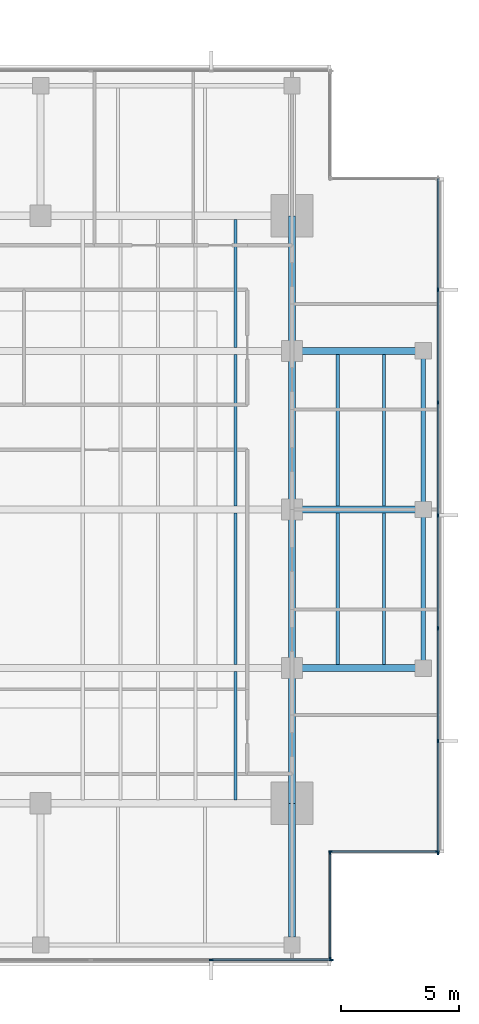
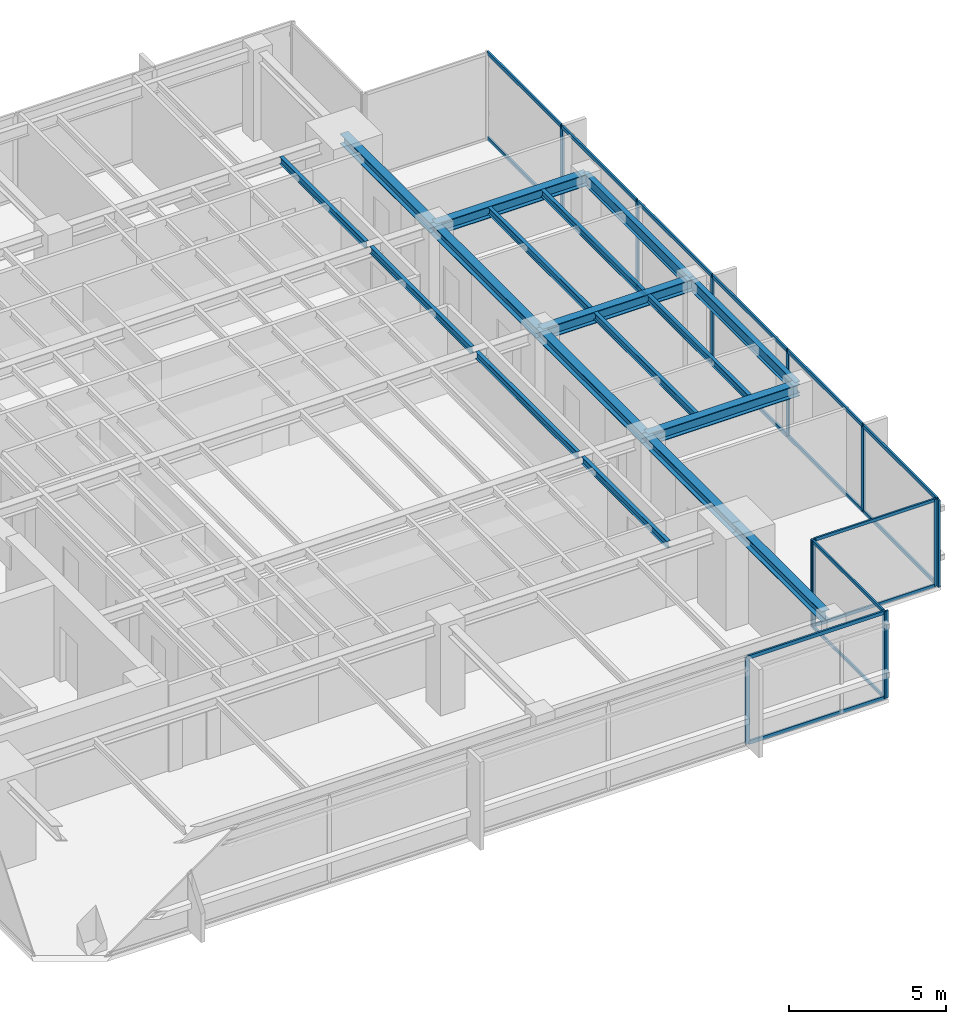
# One storey, part 4 of 14: 30 members, 18 beams, 4 elements without a shape of their own.
"""IFC4 building model written with IfcOpenShell, lengths in metres."""

from ifc_helpers import new_model, si_unit, direction, frame, origin, origin_2d, place, context, subcontext, project, spatial, rectangle, i_section, extrude, material, layer, layer_set, material_profile, profile_set, type_object, element, aggregate, save


model = new_model("IFC4")

# Units and contexts
model_context = context("Model", 3, precision=1e-05, world=origin(), true_north=direction((0.0, 1.0)))
body_context = subcontext(model_context, "Body", "Model", "MODEL_VIEW")
ifc_project = project(units=[si_unit("LENGTHUNIT", "METRE"), si_unit("AREAUNIT", "SQUARE_METRE"), si_unit("VOLUMEUNIT", "CUBIC_METRE"), si_unit("PLANEANGLEUNIT", "RADIAN"), si_unit("MASSUNIT", "GRAM", prefix="KILO")], contexts=[model_context])

# Site, building, storey
site_placement = place(None, origin())
site = spatial("IfcSite", under=ifc_project, at=site_placement, CompositionType="ELEMENT")
building_placement = place(site_placement, origin())
building = spatial("IfcBuilding", under=site, at=building_placement, Name="Kinhvarn Gate Tower", CompositionType="ELEMENT")
storey_placement = place(building_placement, frame((0.0, 0.0, 281.199951171875)))
storey = spatial("IfcBuildingStorey", under=building, at=storey_placement, Name="L75", CompositionType="ELEMENT", Elevation=281.199951171875)

# Curtain wall, members
ifc_material_1 = material(Name="Anodised aluminium AW-6063", Category="aluminium")
ifc_layer_1 = layer(ifc_material_1, 0.179931640625)
ifc_layer_set_1 = layer_set([ifc_layer_1], Name="Anodised aluminium AW-6063")
curtain_wall_type_1 = type_object("IfcCurtainWallType", Name="CW-SYS-3", PredefinedType="NOTDEFINED", material=ifc_layer_set_1)
curtain_wall_1_placement = place(storey_placement, origin())
curtain_wall_1 = element("IfcCurtainWall", 1, at=curtain_wall_1_placement, inside=storey, type_object=curtain_wall_type_1, Name="Curtain Wall CW3 (L75)", PredefinedType="NOTDEFINED")
ifc_material_profile_1 = material_profile(ifc_material_1, rectangle(XDim=0.06494140625, YDim=0.159912109375, at=origin_2d()), Name="ALU 65x160")
ifc_profile_set_1 = profile_set([ifc_material_profile_1], Name="Anodised aluminium AW-6063")
member_type_1 = type_object("IfcMemberType", Name="CW-MUL-160", PredefinedType="MULLION", material=ifc_profile_set_1)
member_1_placement = place(storey_placement, frame((34.7666015625, 6.090087890625, 0.0), z_axis=(0.0, 0.0, 1.0), x_axis=(0.0, 1.0, 0.0)))
member_1 = element("IfcMember", 2, at=member_1_placement, type_object=member_type_1, Name="CW3 mullion 6", PredefinedType="MULLION", context=body_context, shape_type="SweptSolid", body=[
    extrude(rectangle(XDim=0.06494140625, YDim=0.159912109375, at=origin_2d()), origin(), (0.0, 0.0, 1.0), 3.39013671875),
])
member_2_placement = place(storey_placement, frame((39.867431640625, 6.090087890625, 0.0), z_axis=(0.0, 0.0, 1.0), x_axis=(0.0, 1.0, 0.0)))
member_2 = element("IfcMember", 3, at=member_2_placement, type_object=member_type_1, Name="CW3 mullion 7", PredefinedType="MULLION", context=body_context, shape_type="SweptSolid", body=[
    extrude(rectangle(XDim=0.06494140625, YDim=0.159912109375, at=origin_2d()), origin(), (0.0, 0.0, 1.0), 3.39013671875),
])

curtain_wall_2_placement = place(storey_placement, origin())
curtain_wall_2 = element("IfcCurtainWall", 4, at=curtain_wall_2_placement, inside=storey, type_object=curtain_wall_type_1, Name="Curtain Wall CW3 (L75)", PredefinedType="NOTDEFINED")
member_3_placement = place(storey_placement, frame((44.409912109375, 10.632568359375, 0.0), z_axis=(0.0, 0.0, 1.0), x_axis=(-1.0, 0.0, 0.0)))
member_3 = element("IfcMember", 5, at=member_3_placement, type_object=member_type_1, Name="CW3 mullion 1", PredefinedType="MULLION", context=body_context, shape_type="SweptSolid", body=[
    extrude(rectangle(XDim=0.06494140625, YDim=0.159912109375, at=origin_2d()), origin(), (0.0, 0.0, 1.0), 3.39013671875),
])
member_4_placement = place(storey_placement, frame((44.409912109375, 15.39990234375, 0.0), z_axis=(0.0, 0.0, 1.0), x_axis=(-1.0, 0.0, 0.0)))
member_4 = element("IfcMember", 6, at=member_4_placement, type_object=member_type_1, Name="CW3 mullion 2", PredefinedType="MULLION", context=body_context, shape_type="SweptSolid", body=[
    extrude(rectangle(XDim=0.06494140625, YDim=0.159912109375, at=origin_2d()), origin(), (0.0, 0.0, 1.0), 3.39013671875),
])
member_5_placement = place(storey_placement, frame((44.409912109375, 20.199951171875, 0.0), z_axis=(0.0, 0.0, 1.0), x_axis=(-1.0, 0.0, 0.0)))
member_5 = element("IfcMember", 7, at=member_5_placement, type_object=member_type_1, Name="CW3 mullion 3", PredefinedType="MULLION", context=body_context, shape_type="SweptSolid", body=[
    extrude(rectangle(XDim=0.06494140625, YDim=0.159912109375, at=origin_2d()), origin(), (0.0, 0.0, 1.0), 3.39013671875),
])
member_6_placement = place(storey_placement, frame((44.409912109375, 25.0, 0.0), z_axis=(0.0, 0.0, 1.0), x_axis=(-1.0, 0.0, 0.0)))
member_6 = element("IfcMember", 8, at=member_6_placement, type_object=member_type_1, Name="CW3 mullion 4", PredefinedType="MULLION", context=body_context, shape_type="SweptSolid", body=[
    extrude(rectangle(XDim=0.06494140625, YDim=0.159912109375, at=origin_2d()), origin(), (0.0, 0.0, 1.0), 3.39013671875),
])
member_7_placement = place(storey_placement, frame((44.409912109375, 29.800048828125, 0.0), z_axis=(0.0, 0.0, 1.0), x_axis=(-1.0, 0.0, 0.0)))
member_7 = element("IfcMember", 9, at=member_7_placement, type_object=member_type_1, Name="CW3 mullion 5", PredefinedType="MULLION", context=body_context, shape_type="SweptSolid", body=[
    extrude(rectangle(XDim=0.06494140625, YDim=0.159912109375, at=origin_2d()), origin(), (0.0, 0.0, 1.0), 3.39013671875),
])
member_8_placement = place(storey_placement, frame((44.409912109375, 34.60009765625, 0.0), z_axis=(0.0, 0.0, 1.0), x_axis=(-1.0, 0.0, 0.0)))
member_8 = element("IfcMember", 10, at=member_8_placement, type_object=member_type_1, Name="CW3 mullion 6", PredefinedType="MULLION", context=body_context, shape_type="SweptSolid", body=[
    extrude(rectangle(XDim=0.06494140625, YDim=0.159912109375, at=origin_2d()), origin(), (0.0, 0.0, 1.0), 3.39013671875),
])

ifc_layer_2 = layer(ifc_material_1, 0.179931640625)
ifc_layer_set_2 = layer_set([ifc_layer_2], Name="Anodised aluminium AW-6063")
curtain_wall_type_2 = type_object("IfcCurtainWallType", Name="CW-SYS-4", PredefinedType="NOTDEFINED", material=ifc_layer_set_2)
curtain_wall_3_placement = place(storey_placement, origin())
curtain_wall_3 = element("IfcCurtainWall", 11, at=curtain_wall_3_placement, inside=storey, type_object=curtain_wall_type_2, Name="Curtain Wall CW4 (L75)", PredefinedType="NOTDEFINED")
member_9_placement = place(storey_placement, frame((39.81005859375, 6.12255859375, 0.0), z_axis=(0.0, 0.0, 1.0), x_axis=(-1.0, 0.0, 0.0)))
member_9 = element("IfcMember", 12, at=member_9_placement, type_object=member_type_1, Name="CW4 mullion 1", PredefinedType="MULLION", context=body_context, shape_type="SweptSolid", body=[
    extrude(rectangle(XDim=0.06494140625, YDim=0.159912109375, at=origin_2d()), origin(), (0.0, 0.0, 1.0), 3.39013671875),
])
member_10_placement = place(storey_placement, frame((39.81005859375, 10.657470703125, 0.0), z_axis=(0.0, 0.0, 1.0), x_axis=(-1.0, 0.0, 0.0)))
member_10 = element("IfcMember", 13, at=member_10_placement, type_object=member_type_1, Name="CW4 mullion 2", PredefinedType="MULLION", context=body_context, shape_type="SweptSolid", body=[
    extrude(rectangle(XDim=0.06494140625, YDim=0.159912109375, at=origin_2d()), origin(), (0.0, 0.0, 1.0), 3.39013671875),
])

curtain_wall_4_placement = place(storey_placement, origin())
curtain_wall_4 = element("IfcCurtainWall", 14, at=curtain_wall_4_placement, inside=storey, type_object=curtain_wall_type_2, Name="Curtain Wall CW4 (L75)", PredefinedType="NOTDEFINED")
member_11_placement = place(storey_placement, frame((39.842529296875, 10.68994140625, 0.0), z_axis=(0.0, 0.0, 1.0), x_axis=(0.0, 1.0, 0.0)))
member_11 = element("IfcMember", 15, at=member_11_placement, type_object=member_type_1, Name="CW4 mullion 1", PredefinedType="MULLION", context=body_context, shape_type="SweptSolid", body=[
    extrude(rectangle(XDim=0.06494140625, YDim=0.159912109375, at=origin_2d()), origin(), (0.0, 0.0, 1.0), 3.39013671875),
])
member_12_placement = place(storey_placement, frame((44.37744140625, 10.68994140625, 0.0), z_axis=(0.0, 0.0, 1.0), x_axis=(0.0, 1.0, 0.0)))
member_12 = element("IfcMember", 16, at=member_12_placement, type_object=member_type_1, Name="CW4 mullion 2", PredefinedType="MULLION", context=body_context, shape_type="SweptSolid", body=[
    extrude(rectangle(XDim=0.06494140625, YDim=0.159912109375, at=origin_2d()), origin(), (0.0, 0.0, 1.0), 3.39013671875),
])

# Member
ifc_material_profile_2 = material_profile(ifc_material_1, rectangle(XDim=0.06494140625, YDim=0.1201171875, at=origin_2d()), Name="ALU 65x120")
ifc_profile_set_2 = profile_set([ifc_material_profile_2], Name="Anodised aluminium AW-6063")
member_type_2 = type_object("IfcMemberType", Name="CW-TRN-120", PredefinedType="USERDEFINED", material=ifc_profile_set_2)
member_13_placement = place(storey_placement, frame((39.81005859375, 6.155029296875, 0.032470703125), z_axis=(0.0, 1.0, 0.0), x_axis=(-1.0, 0.0, 0.0)))
member_13 = element("IfcMember", 17, at=member_13_placement, type_object=member_type_2, Name="CW4 transom 1.1", ObjectType="TRANSOM", PredefinedType="USERDEFINED", context=body_context, shape_type="SweptSolid", body=[
    extrude(rectangle(XDim=0.06494140625, YDim=0.1201171875, at=origin_2d()), origin(), (0.0, 0.0, 1.0), 4.469970703125),
])

member_14_placement = place(storey_placement, frame((39.81005859375, 6.155029296875, 3.357666015625), z_axis=(0.0, 1.0, 0.0), x_axis=(-1.0, 0.0, 0.0)))
member_14 = element("IfcMember", 18, at=member_14_placement, type_object=member_type_2, Name="CW4 transom 1.2", ObjectType="TRANSOM", PredefinedType="USERDEFINED", context=body_context, shape_type="SweptSolid", body=[
    extrude(rectangle(XDim=0.06494140625, YDim=0.1201171875, at=origin_2d()), origin(), (0.0, 0.0, 1.0), 4.469970703125),
])

aggregate(curtain_wall_3, [member_9, member_10, member_13, member_14])

member_15_placement = place(storey_placement, frame((39.875, 10.68994140625, 0.032470703125), z_axis=(1.0, 0.0, 0.0), x_axis=(0.0, 1.0, 0.0)))
member_15 = element("IfcMember", 19, at=member_15_placement, type_object=member_type_2, Name="CW4 transom 1.1", ObjectType="TRANSOM", PredefinedType="USERDEFINED", context=body_context, shape_type="SweptSolid", body=[
    extrude(rectangle(XDim=0.06494140625, YDim=0.1201171875, at=origin_2d()), origin(), (0.0, 0.0, 1.0), 4.469970703125),
])

member_16_placement = place(storey_placement, frame((39.875, 10.68994140625, 3.357666015625), z_axis=(1.0, 0.0, 0.0), x_axis=(0.0, 1.0, 0.0)))
member_16 = element("IfcMember", 20, at=member_16_placement, type_object=member_type_2, Name="CW4 transom 1.2", ObjectType="TRANSOM", PredefinedType="USERDEFINED", context=body_context, shape_type="SweptSolid", body=[
    extrude(rectangle(XDim=0.06494140625, YDim=0.1201171875, at=origin_2d()), origin(), (0.0, 0.0, 1.0), 4.469970703125),
])

aggregate(curtain_wall_4, [member_11, member_12, member_15, member_16])

ifc_material_profile_3 = material_profile(ifc_material_1, rectangle(XDim=0.070068359375, YDim=0.139892578125, at=origin_2d()), Name="ALU 70x140")
ifc_profile_set_3 = profile_set([ifc_material_profile_3], Name="Anodised aluminium AW-6063")
member_type_3 = type_object("IfcMemberType", Name="CW-TRN-140", PredefinedType="USERDEFINED", material=ifc_profile_set_3)
member_17_placement = place(storey_placement, frame((34.799072265625, 6.090087890625, 0.03515625), z_axis=(1.0, 0.0, 0.0), x_axis=(0.0, 1.0, 0.0)))
member_17 = element("IfcMember", 21, at=member_17_placement, type_object=member_type_3, Name="CW3 transom 6.1", ObjectType="TRANSOM", PredefinedType="USERDEFINED", context=body_context, shape_type="SweptSolid", body=[
    extrude(rectangle(XDim=0.070068359375, YDim=0.139892578125, at=origin_2d()), origin(), (0.0, 0.0, 1.0), 5.035888671875),
])

member_18_placement = place(storey_placement, frame((34.799072265625, 6.090087890625, 3.35498046875), z_axis=(1.0, 0.0, 0.0), x_axis=(0.0, 1.0, 0.0)))
member_18 = element("IfcMember", 22, at=member_18_placement, type_object=member_type_3, Name="CW3 transom 6.2", ObjectType="TRANSOM", PredefinedType="USERDEFINED", context=body_context, shape_type="SweptSolid", body=[
    extrude(rectangle(XDim=0.070068359375, YDim=0.139892578125, at=origin_2d()), origin(), (0.0, 0.0, 1.0), 5.035888671875),
])

aggregate(curtain_wall_1, [member_1, member_2, member_17, member_18])

member_19_placement = place(storey_placement, frame((44.409912109375, 10.6650390625, 0.03515625), z_axis=(0.0, 1.0, 0.0), x_axis=(-1.0, 0.0, 0.0)))
member_19 = element("IfcMember", 23, at=member_19_placement, type_object=member_type_3, Name="CW3 transom 1.1", ObjectType="TRANSOM", PredefinedType="USERDEFINED", context=body_context, shape_type="SweptSolid", body=[
    extrude(rectangle(XDim=0.070068359375, YDim=0.139892578125, at=origin_2d()), origin(), (0.0, 0.0, 1.0), 4.702392578125),
])

member_20_placement = place(storey_placement, frame((44.409912109375, 10.6650390625, 3.35498046875), z_axis=(0.0, 1.0, 0.0), x_axis=(-1.0, 0.0, 0.0)))
member_20 = element("IfcMember", 24, at=member_20_placement, type_object=member_type_3, Name="CW3 transom 1.2", ObjectType="TRANSOM", PredefinedType="USERDEFINED", context=body_context, shape_type="SweptSolid", body=[
    extrude(rectangle(XDim=0.070068359375, YDim=0.139892578125, at=origin_2d()), origin(), (0.0, 0.0, 1.0), 4.702392578125),
])

member_21_placement = place(storey_placement, frame((44.409912109375, 15.4326171875, 0.03515625), z_axis=(0.0, 1.0, 0.0), x_axis=(-1.0, 0.0, 0.0)))
member_21 = element("IfcMember", 25, at=member_21_placement, type_object=member_type_3, Name="CW3 transom 2.1", ObjectType="TRANSOM", PredefinedType="USERDEFINED", context=body_context, shape_type="SweptSolid", body=[
    extrude(rectangle(XDim=0.070068359375, YDim=0.139892578125, at=origin_2d()), origin(), (0.0, 0.0, 1.0), 4.73486328125),
])

member_22_placement = place(storey_placement, frame((44.409912109375, 15.4326171875, 3.35498046875), z_axis=(0.0, 1.0, 0.0), x_axis=(-1.0, 0.0, 0.0)))
member_22 = element("IfcMember", 26, at=member_22_placement, type_object=member_type_3, Name="CW3 transom 2.2", ObjectType="TRANSOM", PredefinedType="USERDEFINED", context=body_context, shape_type="SweptSolid", body=[
    extrude(rectangle(XDim=0.070068359375, YDim=0.139892578125, at=origin_2d()), origin(), (0.0, 0.0, 1.0), 4.73486328125),
])

member_23_placement = place(storey_placement, frame((44.409912109375, 20.232421875, 0.03515625), z_axis=(0.0, 1.0, 0.0), x_axis=(-1.0, 0.0, 0.0)))
member_23 = element("IfcMember", 27, at=member_23_placement, type_object=member_type_3, Name="CW3 transom 3.1", ObjectType="TRANSOM", PredefinedType="USERDEFINED", context=body_context, shape_type="SweptSolid", body=[
    extrude(rectangle(XDim=0.070068359375, YDim=0.139892578125, at=origin_2d()), origin(), (0.0, 0.0, 1.0), 4.735107421875),
])

member_24_placement = place(storey_placement, frame((44.409912109375, 20.232421875, 3.35498046875), z_axis=(0.0, 1.0, 0.0), x_axis=(-1.0, 0.0, 0.0)))
member_24 = element("IfcMember", 28, at=member_24_placement, type_object=member_type_3, Name="CW3 transom 3.2", ObjectType="TRANSOM", PredefinedType="USERDEFINED", context=body_context, shape_type="SweptSolid", body=[
    extrude(rectangle(XDim=0.070068359375, YDim=0.139892578125, at=origin_2d()), origin(), (0.0, 0.0, 1.0), 4.735107421875),
])

member_25_placement = place(storey_placement, frame((44.409912109375, 25.032470703125, 0.03515625), z_axis=(0.0, 1.0, 0.0), x_axis=(-1.0, 0.0, 0.0)))
member_25 = element("IfcMember", 29, at=member_25_placement, type_object=member_type_3, Name="CW3 transom 4.1", ObjectType="TRANSOM", PredefinedType="USERDEFINED", context=body_context, shape_type="SweptSolid", body=[
    extrude(rectangle(XDim=0.070068359375, YDim=0.139892578125, at=origin_2d()), origin(), (0.0, 0.0, 1.0), 4.735107421875),
])

member_26_placement = place(storey_placement, frame((44.409912109375, 25.032470703125, 3.35498046875), z_axis=(0.0, 1.0, 0.0), x_axis=(-1.0, 0.0, 0.0)))
member_26 = element("IfcMember", 30, at=member_26_placement, type_object=member_type_3, Name="CW3 transom 4.2", ObjectType="TRANSOM", PredefinedType="USERDEFINED", context=body_context, shape_type="SweptSolid", body=[
    extrude(rectangle(XDim=0.070068359375, YDim=0.139892578125, at=origin_2d()), origin(), (0.0, 0.0, 1.0), 4.735107421875),
])

member_27_placement = place(storey_placement, frame((44.409912109375, 29.83251953125, 0.03515625), z_axis=(0.0, 1.0, 0.0), x_axis=(-1.0, 0.0, 0.0)))
member_27 = element("IfcMember", 31, at=member_27_placement, type_object=member_type_3, Name="CW3 transom 5.1", ObjectType="TRANSOM", PredefinedType="USERDEFINED", context=body_context, shape_type="SweptSolid", body=[
    extrude(rectangle(XDim=0.070068359375, YDim=0.139892578125, at=origin_2d()), origin(), (0.0, 0.0, 1.0), 4.73486328125),
])

member_28_placement = place(storey_placement, frame((44.409912109375, 29.83251953125, 3.35498046875), z_axis=(0.0, 1.0, 0.0), x_axis=(-1.0, 0.0, 0.0)))
member_28 = element("IfcMember", 32, at=member_28_placement, type_object=member_type_3, Name="CW3 transom 5.2", ObjectType="TRANSOM", PredefinedType="USERDEFINED", context=body_context, shape_type="SweptSolid", body=[
    extrude(rectangle(XDim=0.070068359375, YDim=0.139892578125, at=origin_2d()), origin(), (0.0, 0.0, 1.0), 4.73486328125),
])

member_29_placement = place(storey_placement, frame((44.409912109375, 34.632568359375, 0.03515625), z_axis=(0.0, 1.0, 0.0), x_axis=(-1.0, 0.0, 0.0)))
member_29 = element("IfcMember", 33, at=member_29_placement, type_object=member_type_3, Name="CW3 transom 6.1", ObjectType="TRANSOM", PredefinedType="USERDEFINED", context=body_context, shape_type="SweptSolid", body=[
    extrude(rectangle(XDim=0.070068359375, YDim=0.139892578125, at=origin_2d()), origin(), (0.0, 0.0, 1.0), 4.702392578125),
])

member_30_placement = place(storey_placement, frame((44.409912109375, 34.632568359375, 3.35498046875), z_axis=(0.0, 1.0, 0.0), x_axis=(-1.0, 0.0, 0.0)))
member_30 = element("IfcMember", 34, at=member_30_placement, type_object=member_type_3, Name="CW3 transom 6.2", ObjectType="TRANSOM", PredefinedType="USERDEFINED", context=body_context, shape_type="SweptSolid", body=[
    extrude(rectangle(XDim=0.070068359375, YDim=0.139892578125, at=origin_2d()), origin(), (0.0, 0.0, 1.0), 4.702392578125),
])

aggregate(curtain_wall_2, [member_3, member_4, member_5, member_6, member_7, member_8, member_19, member_20, member_21, member_22, member_23, member_24, member_25, member_26, member_27, member_28, member_29, member_30])

# Beams
ifc_material_2 = material(Name="Steel S355", Category="steel")
ifc_material_profile_4 = material_profile(ifc_material_2, i_section(OverallWidth=0.300048828125, OverallDepth=0.39990234375, WebThickness=0.013427734375, FlangeThickness=0.02392578125, at=origin_2d()), Name="HEB 400")
ifc_profile_set_4 = profile_set([ifc_material_profile_4], Name="Steel S355")
beam_type_1 = type_object("IfcBeamType", Name="STL-HEB400", PredefinedType="BEAM", material=ifc_profile_set_4)
beam_1_placement = place(storey_placement, frame((38.199951171875, 7.054931640625, 3.18994140625), z_axis=(0.0, 1.0, 0.0), x_axis=(-1.0, 0.0, 0.0)))
element("IfcBeam", 35, at=beam_1_placement, inside=storey, type_object=beam_type_1, Name="Floor Beam PG-12 (L75 MCE-S)", PredefinedType="BEAM", context=body_context, shape_type="SweptSolid", body=[
    extrude(i_section(OverallWidth=0.300048828125, OverallDepth=0.39990234375, WebThickness=0.013427734375, FlangeThickness=0.02392578125, at=origin_2d()), origin(), (0.0, 0.0, 1.0), 5.695068359375),
])
beam_2_placement = place(storey_placement, frame((38.199951171875, 12.75, 3.18994140625), z_axis=(0.0, 1.0, 0.0), x_axis=(-1.0, 0.0, 0.0)))
element("IfcBeam", 36, at=beam_2_placement, inside=storey, type_object=beam_type_1, Name="Floor Beam PG-12 (L75 MG-E-12)", PredefinedType="BEAM", context=body_context, shape_type="SweptSolid", body=[
    extrude(i_section(OverallWidth=0.300048828125, OverallDepth=0.39990234375, WebThickness=0.013427734375, FlangeThickness=0.02392578125, at=origin_2d()), origin(), (0.0, 0.0, 1.0), 5.75),
])
for number, where, z_axis, x_axis, name in (
    (37, (38.199951171875, 18.5, 3.18994140625), (0.0, 1.0, 0.0), (-1.0, 0.0, 0.0), "Floor Beam PG-12 (L75 MG-E-18)"),
    (38, (38.199951171875, 25.25, 3.18994140625), (0.0, 1.0, 0.0), (-1.0, 0.0, 0.0), "Floor Beam PG-12 (L75 MG-E-25)"),
):
    element("IfcBeam", number, at=place(storey_placement, frame(where, z_axis=z_axis, x_axis=x_axis)), inside=storey, type_object=beam_type_1, Name=name, PredefinedType="BEAM", context=body_context, shape_type="SweptSolid", body=[
        extrude(i_section(OverallWidth=0.300048828125, OverallDepth=0.39990234375, WebThickness=0.013427734375, FlangeThickness=0.02392578125, at=origin_2d()), origin(), (0.0, 0.0, 1.0), 6.75),
    ])
beam_3_placement = place(storey_placement, frame((38.199951171875, 32.0, 3.18994140625), z_axis=(0.0, 1.0, 0.0), x_axis=(-1.0, 0.0, 0.0)))
element("IfcBeam", 39, at=beam_3_placement, inside=storey, type_object=beam_type_1, Name="Floor Beam PG-12 (L75 MG-E-32)", PredefinedType="BEAM", context=body_context, shape_type="SweptSolid", body=[
    extrude(i_section(OverallWidth=0.300048828125, OverallDepth=0.39990234375, WebThickness=0.013427734375, FlangeThickness=0.02392578125, at=origin_2d()), origin(), (0.0, 0.0, 1.0), 5.75),
])
ifc_material_profile_5 = material_profile(ifc_material_2, i_section(OverallWidth=0.300048828125, OverallDepth=0.449951171875, WebThickness=0.013916015625, FlangeThickness=0.02587890625, at=origin_2d()), Name="HEB 450")
ifc_profile_set_5 = profile_set([ifc_material_profile_5], Name="Steel S355")
beam_type_2 = type_object("IfcBeamType", Name="STL-HEB450", PredefinedType="BEAM", material=ifc_profile_set_5)
for number, where, z_axis, x_axis, name in (
    (40, (38.199951171875, 18.5, 3.1650390625), (1.0, 0.0, 0.0), (0.0, 1.0, 0.0), "Floor Beam PG-13 (L75 EW2-Y18)"),
    (41, (38.199951171875, 25.25, 3.1650390625), (1.0, 0.0, 0.0), (0.0, 1.0, 0.0), "Floor Beam PG-13 (L75 EW2-Y25)"),
    (42, (38.199951171875, 32.0, 3.1650390625), (1.0, 0.0, 0.0), (0.0, 1.0, 0.0), "Floor Beam PG-13 (L75 EW2-Y32)"),
):
    element("IfcBeam", number, at=place(storey_placement, frame(where, z_axis=z_axis, x_axis=x_axis)), inside=storey, type_object=beam_type_2, Name=name, PredefinedType="BEAM", context=body_context, shape_type="SweptSolid", body=[
        extrude(i_section(OverallWidth=0.300048828125, OverallDepth=0.449951171875, WebThickness=0.013916015625, FlangeThickness=0.02587890625, at=origin_2d()), origin(), (0.0, 0.0, 1.0), 5.580078125),
    ])
ifc_material_profile_6 = material_profile(ifc_material_2, i_section(OverallWidth=0.135009765625, OverallDepth=0.27001953125, WebThickness=0.006591796875, FlangeThickness=0.01025390625, at=origin_2d()), Name="IPE 270")
ifc_profile_set_6 = profile_set([ifc_material_profile_6], Name="Steel S355")
beam_type_3 = type_object("IfcBeamType", Name="STL-IPE270", PredefinedType="JOIST", material=ifc_profile_set_6)
beam_4_placement = place(storey_placement, frame((35.800048828125, 12.89990234375, 3.255126953125), z_axis=(0.0, 1.0, 0.0), x_axis=(-1.0, 0.0, 0.0)))
element("IfcBeam", 43, at=beam_4_placement, inside=storey, type_object=beam_type_3, Name="Floor Joist SB-01 (L75 JC-X358-0)", PredefinedType="JOIST", context=body_context, shape_type="SweptSolid", body=[
    extrude(i_section(OverallWidth=0.135009765625, OverallDepth=0.27001953125, WebThickness=0.006591796875, FlangeThickness=0.01025390625, at=origin_2d()), origin(), (0.0, 0.0, 1.0), 5.4501953125),
])
for number, where, z_axis, x_axis, name in (
    (44, (35.800048828125, 18.64990234375, 3.255126953125), (0.0, 1.0, 0.0), (-1.0, 0.0, 0.0), "Floor Joist SB-01 (L75 JC-X358-1)"),
    (45, (35.800048828125, 25.39990234375, 3.255126953125), (0.0, 1.0, 0.0), (-1.0, 0.0, 0.0), "Floor Joist SB-01 (L75 JC-X358-2)"),
):
    element("IfcBeam", number, at=place(storey_placement, frame(where, z_axis=z_axis, x_axis=x_axis)), inside=storey, type_object=beam_type_3, Name=name, PredefinedType="JOIST", context=body_context, shape_type="SweptSolid", body=[
        extrude(i_section(OverallWidth=0.135009765625, OverallDepth=0.27001953125, WebThickness=0.006591796875, FlangeThickness=0.01025390625, at=origin_2d()), origin(), (0.0, 0.0, 1.0), 6.4501953125),
    ])
beam_5_placement = place(storey_placement, frame((35.800048828125, 32.14990234375, 3.255126953125), z_axis=(0.0, 1.0, 0.0), x_axis=(-1.0, 0.0, 0.0)))
element("IfcBeam", 46, at=beam_5_placement, inside=storey, type_object=beam_type_3, Name="Floor Joist SB-01 (L75 JC-X358-3)", PredefinedType="JOIST", context=body_context, shape_type="SweptSolid", body=[
    extrude(i_section(OverallWidth=0.135009765625, OverallDepth=0.27001953125, WebThickness=0.006591796875, FlangeThickness=0.01025390625, at=origin_2d()), origin(), (0.0, 0.0, 1.0), 5.4501953125),
])
for number, where, z_axis, x_axis, name in (
    (47, (40.14990234375, 18.64990234375, 3.255126953125), (0.0, 1.0, 0.0), (-1.0, 0.0, 0.0), "Floor Joist SB-01 (L75 JC-X401-1)"),
    (48, (40.14990234375, 25.39990234375, 3.255126953125), (0.0, 1.0, 0.0), (-1.0, 0.0, 0.0), "Floor Joist SB-01 (L75 JC-X401-2)"),
    (49, (42.110107421875, 18.64990234375, 3.255126953125), (0.0, 1.0, 0.0), (-1.0, 0.0, 0.0), "Floor Joist SB-01 (L75 JC-X421-1)"),
    (50, (42.110107421875, 25.39990234375, 3.255126953125), (0.0, 1.0, 0.0), (-1.0, 0.0, 0.0), "Floor Joist SB-01 (L75 JC-X421-2)"),
):
    element("IfcBeam", number, at=place(storey_placement, frame(where, z_axis=z_axis, x_axis=x_axis)), inside=storey, type_object=beam_type_3, Name=name, PredefinedType="JOIST", context=body_context, shape_type="SweptSolid", body=[
        extrude(i_section(OverallWidth=0.135009765625, OverallDepth=0.27001953125, WebThickness=0.006591796875, FlangeThickness=0.01025390625, at=origin_2d()), origin(), (0.0, 0.0, 1.0), 6.4501953125),
    ])
ifc_material_profile_7 = material_profile(ifc_material_2, i_section(OverallWidth=0.18994140625, OverallDepth=0.449951171875, WebThickness=0.009521484375, FlangeThickness=0.0146484375, at=origin_2d()), Name="IPE 450")
ifc_profile_set_7 = profile_set([ifc_material_profile_7], Name="Steel S355")
beam_type_4 = type_object("IfcBeamType", Name="STL-IPE450", PredefinedType="JOIST", material=ifc_profile_set_7)
for number, where, z_axis, x_axis, name in (
    (51, (43.780029296875, 18.5, 3.1650390625), (0.0, 1.0, 0.0), (-1.0, 0.0, 0.0), "Floor Joist SB-06 (L75 SP-E2)"),
    (52, (43.780029296875, 25.25, 3.1650390625), (0.0, 1.0, 0.0), (-1.0, 0.0, 0.0), "Floor Joist SB-06 (L75 SP-E3)"),
):
    element("IfcBeam", number, at=place(storey_placement, frame(where, z_axis=z_axis, x_axis=x_axis)), inside=storey, type_object=beam_type_4, Name=name, PredefinedType="JOIST", context=body_context, shape_type="SweptSolid", body=[
        extrude(i_section(OverallWidth=0.18994140625, OverallDepth=0.449951171875, WebThickness=0.009521484375, FlangeThickness=0.0146484375, at=origin_2d()), origin(), (0.0, 0.0, 1.0), 6.75),
    ])

save(model, "model.ifc")
